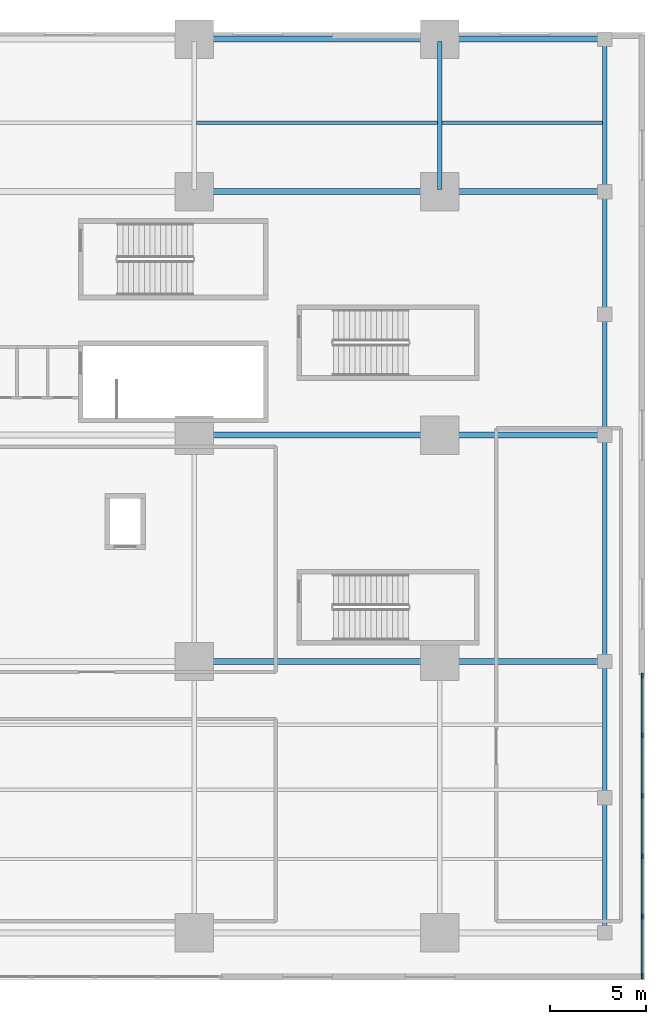
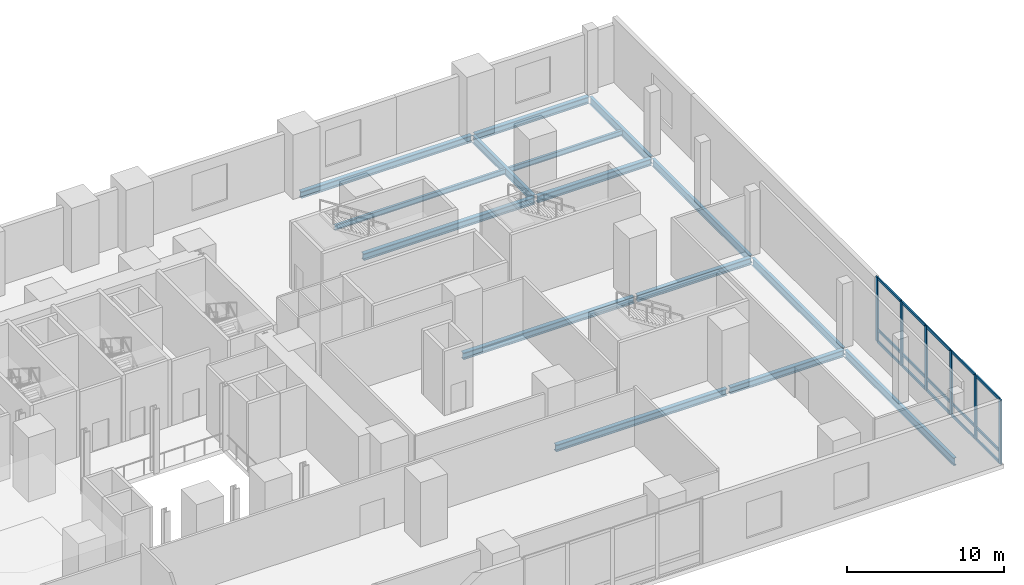
# One storey, part 6 of 15: 21 members, 15 beams, 1 element without a shape of its own.
"""IFC4 building model written with IfcOpenShell, lengths in metres."""

from ifc_helpers import new_model, si_unit, direction, frame, origin, origin_2d, place, context, subcontext, project, spatial, rectangle, i_section, extrude, source, transform, mapped, material, material_profile, profile_set, type_object, element, aggregate, save


model = new_model("IFC4")

# Units and contexts
model_context = context("Model", 3, precision=1e-05, world=origin(), true_north=direction((0.0, 1.0)))
body_context = subcontext(model_context, "Body", "Model", "MODEL_VIEW")
ifc_project = project(units=[si_unit("LENGTHUNIT", "METRE"), si_unit("AREAUNIT", "SQUARE_METRE"), si_unit("VOLUMEUNIT", "CUBIC_METRE"), si_unit("PLANEANGLEUNIT", "RADIAN"), si_unit("MASSUNIT", "GRAM", prefix="KILO")], contexts=[model_context])

# Site, building, storey
site_placement = place(None, origin())
site = spatial("IfcSite", under=ifc_project, at=site_placement, CompositionType="ELEMENT")
building_placement = place(site_placement, origin())
building = spatial("IfcBuilding", under=site, at=building_placement, Name="Vardaveli Station Tower", CompositionType="ELEMENT")
storey_placement = place(building_placement, frame((0.0, 0.0, 6.0)))
storey = spatial("IfcBuildingStorey", under=building, at=storey_placement, Name="L02", CompositionType="ELEMENT", Elevation=6.0)

# Beams
ifc_material_1 = material(Name="Structural steel S355J2", Category="steel")
ifc_material_profile_1 = material_profile(ifc_material_1, i_section(OverallWidth=0.305908203125, OverallDepth=0.52392578125, WebThickness=0.02099609375, FlangeThickness=0.0400390625, FilletRadius=0.027099609375, at=origin_2d()), Name="HEM 500")
ifc_profile_set_1 = profile_set([ifc_material_profile_1], Name="Structural steel S355J2")
beam_type_1 = type_object("IfcBeamType", Name="BM-HEM500", PredefinedType="BEAM", material=ifc_profile_set_1)
shared_shape_1 = source(origin(), body_context, "Body", "SweptSolid", [
    extrude(i_section(OverallWidth=0.305908203125, OverallDepth=0.52392578125, WebThickness=0.02099609375, FlangeThickness=0.0400390625, FilletRadius=0.027099609375, at=origin_2d()), origin(), (0.0, 0.0, 1.0), 12.559814453125),
])
for number, where, z_axis, x_axis, name in (
    (1, (60.1201171875, 17.10009765625, -0.58203125), (1.0, 0.0, 0.0), (0.0, 1.0, 0.0), "PBM-L02-EW1-6"),
    (2, (60.1201171875, 28.89990234375, -0.58203125), (1.0, 0.0, 0.0), (0.0, 1.0, 0.0), "PBM-L02-EWE2-1"),
    (3, (60.1201171875, 41.60009765625, -0.58203125), (1.0, 0.0, 0.0), (0.0, 1.0, 0.0), "PBM-L02-EW3-7"),
    (4, (60.1201171875, 49.550048828125, -0.58203125), (1.0, 0.0, 0.0), (0.0, 1.0, 0.0), "PBM-L02-EW4-6"),
):
    element("IfcBeam", number, at=place(storey_placement, frame(where, z_axis=z_axis, x_axis=x_axis)), inside=storey, type_object=beam_type_1, Name=name, PredefinedType="BEAM", context=body_context, shape_type="MappedRepresentation", body=[
        mapped(shared_shape_1, transform((0.0, 0.0, 0.0), scale=1.0)),
    ])
ifc_material_profile_2 = material_profile(ifc_material_1, i_section(OverallWidth=0.219970703125, OverallDepth=0.60009765625, WebThickness=0.011962890625, FlangeThickness=0.01904296875, FilletRadius=0.02392578125, at=origin_2d()), Name="IPE 600")
ifc_profile_set_2 = profile_set([ifc_material_profile_2], Name="Structural steel S355J2")
beam_type_2 = type_object("IfcBeamType", Name="BM-IPE600", PredefinedType="BEAM", material=ifc_profile_set_2)
shared_shape_2 = source(origin(), body_context, "Body", "SweptSolid", [
    extrude(i_section(OverallWidth=0.219970703125, OverallDepth=0.60009765625, WebThickness=0.011962890625, FlangeThickness=0.01904296875, FilletRadius=0.02392578125, at=origin_2d()), origin(), (0.0, 0.0, 1.0), 13.909912109375),
])
beam_1_placement = place(storey_placement, frame((81.39990234375, 3.070068359375, -0.6201171875), z_axis=(0.0, 1.0, 0.0), x_axis=(-1.0, 0.0, 0.0)))
element("IfcBeam", 5, at=beam_1_placement, inside=storey, type_object=beam_type_2, Name="PBM-L02-NS5-0", PredefinedType="BEAM", context=body_context, shape_type="MappedRepresentation", body=[
    mapped(shared_shape_2, transform((0.0, 0.0, 0.0), scale=1.0)),
])
shared_shape_3 = source(origin(), body_context, "Body", "SweptSolid", [
    extrude(i_section(OverallWidth=0.219970703125, OverallDepth=0.60009765625, WebThickness=0.011962890625, FlangeThickness=0.01904296875, FilletRadius=0.02392578125, at=origin_2d()), origin(), (0.0, 0.0, 1.0), 11.56005859375),
])
beam_2_placement = place(storey_placement, frame((81.39990234375, 17.219970703125, -0.6201171875), z_axis=(0.0, 1.0, 0.0), x_axis=(-1.0, 0.0, 0.0)))
element("IfcBeam", 6, at=beam_2_placement, inside=storey, type_object=beam_type_2, Name="PBM-L02-NS5-1", PredefinedType="BEAM", context=body_context, shape_type="MappedRepresentation", body=[
    mapped(shared_shape_3, transform((0.0, 0.0, 0.0), scale=1.0)),
])
shared_shape_4 = source(origin(), body_context, "Body", "SweptSolid", [
    extrude(i_section(OverallWidth=0.219970703125, OverallDepth=0.60009765625, WebThickness=0.011962890625, FlangeThickness=0.01904296875, FilletRadius=0.02392578125, at=origin_2d()), origin(), (0.0, 0.0, 1.0), 12.4599609375),
])
beam_3_placement = place(storey_placement, frame((81.39990234375, 29.02001953125, -0.6201171875), z_axis=(0.0, 1.0, 0.0), x_axis=(-1.0, 0.0, 0.0)))
element("IfcBeam", 7, at=beam_3_placement, inside=storey, type_object=beam_type_2, Name="PBM-L02-NS5-2", PredefinedType="BEAM", context=body_context, shape_type="MappedRepresentation", body=[
    mapped(shared_shape_4, transform((0.0, 0.0, 0.0), scale=1.0)),
])
shared_shape_5 = source(origin(), body_context, "Body", "SweptSolid", [
    extrude(i_section(OverallWidth=0.219970703125, OverallDepth=0.60009765625, WebThickness=0.011962890625, FlangeThickness=0.01904296875, FilletRadius=0.02392578125, at=origin_2d()), origin(), (0.0, 0.0, 1.0), 7.7099609375),
])
for number, where, z_axis, x_axis, name in (
    (8, (72.800048828125, 41.719970703125, -0.6201171875), (0.0, 1.0, 0.0), (-1.0, 0.0, 0.0), "PBM-L02-NS4-3"),
    (9, (81.39990234375, 41.719970703125, -0.6201171875), (0.0, 1.0, 0.0), (-1.0, 0.0, 0.0), "PBM-L02-NS5-3"),
):
    element("IfcBeam", number, at=place(storey_placement, frame(where, z_axis=z_axis, x_axis=x_axis)), inside=storey, type_object=beam_type_2, Name=name, PredefinedType="BEAM", context=body_context, shape_type="MappedRepresentation", body=[
        mapped(shared_shape_5, transform((0.0, 0.0, 0.0), scale=1.0)),
    ])
ifc_material_profile_3 = material_profile(ifc_material_1, i_section(OverallWidth=0.179931640625, OverallDepth=0.39990234375, WebThickness=0.008544921875, FlangeThickness=0.013427734375, FilletRadius=0.02099609375, at=origin_2d()), Name="IPE 400")
ifc_profile_set_3 = profile_set([ifc_material_profile_3], Name="Structural steel S355J2")
beam_type_3 = type_object("IfcBeamType", Name="BM-IPE400", PredefinedType="JOIST", material=ifc_profile_set_3)
shared_shape_6 = source(origin(), body_context, "Body", "SweptSolid", [
    extrude(i_section(OverallWidth=0.179931640625, OverallDepth=0.39990234375, WebThickness=0.008544921875, FlangeThickness=0.013427734375, FilletRadius=0.02099609375, at=origin_2d()), origin(), (0.0, 0.0, 1.0), 12.575927734375),
])
beam_4_placement = place(storey_placement, frame((60.112060546875, 45.199951171875, -0.52001953125), z_axis=(1.0, 0.0, 0.0), x_axis=(0.0, 1.0, 0.0)))
element("IfcBeam", 10, at=beam_4_placement, inside=storey, type_object=beam_type_3, Name="PJ-L02-4-3", PredefinedType="JOIST", context=body_context, shape_type="MappedRepresentation", body=[
    mapped(shared_shape_6, transform((0.0, 0.0, 0.0), scale=1.0)),
])
shared_shape_7 = source(origin(), body_context, "Body", "SweptSolid", [
    extrude(i_section(OverallWidth=0.305908203125, OverallDepth=0.52392578125, WebThickness=0.02099609375, FlangeThickness=0.0400390625, FilletRadius=0.027099609375, at=origin_2d()), origin(), (0.0, 0.0, 1.0), 8.360107421875),
])
for number, where, z_axis, x_axis, name in (
    (11, (72.919921875, 17.10009765625, -0.58203125), (1.0, 0.0, 0.0), (0.0, 1.0, 0.0), "PBM-L02-EW1-7"),
    (12, (72.919921875, 28.89990234375, -0.58203125), (1.0, 0.0, 0.0), (0.0, 1.0, 0.0), "PBM-L02-EWE2-2"),
    (13, (72.919921875, 41.60009765625, -0.58203125), (1.0, 0.0, 0.0), (0.0, 1.0, 0.0), "PBM-L02-EW3-8"),
    (14, (72.919921875, 49.550048828125, -0.58203125), (1.0, 0.0, 0.0), (0.0, 1.0, 0.0), "PBM-L02-EW4-7"),
):
    element("IfcBeam", number, at=place(storey_placement, frame(where, z_axis=z_axis, x_axis=x_axis)), inside=storey, type_object=beam_type_1, Name=name, PredefinedType="BEAM", context=body_context, shape_type="MappedRepresentation", body=[
        mapped(shared_shape_7, transform((0.0, 0.0, 0.0), scale=1.0)),
    ])
shared_shape_8 = source(origin(), body_context, "Body", "SweptSolid", [
    extrude(i_section(OverallWidth=0.179931640625, OverallDepth=0.39990234375, WebThickness=0.008544921875, FlangeThickness=0.013427734375, FilletRadius=0.02099609375, at=origin_2d()), origin(), (0.0, 0.0, 1.0), 8.3759765625),
])
beam_5_placement = place(storey_placement, frame((72.912109375, 45.199951171875, -0.52001953125), z_axis=(1.0, 0.0, 0.0), x_axis=(0.0, 1.0, 0.0)))
element("IfcBeam", 15, at=beam_5_placement, inside=storey, type_object=beam_type_3, Name="PJ-L02-4-4", PredefinedType="JOIST", context=body_context, shape_type="MappedRepresentation", body=[
    mapped(shared_shape_8, transform((0.0, 0.0, 0.0), scale=1.0)),
])

# Curtain wall, members
ifc_material_2 = material(Name="Travertine stone and solar-control glass", Category="masonry")
curtain_wall_type = type_object("IfcCurtainWallType", Name="CW-SYS-1", PredefinedType="NOTDEFINED", material=ifc_material_2)
curtain_wall_placement = place(storey_placement, origin())
curtain_wall = element("IfcCurtainWall", 16, at=curtain_wall_placement, inside=storey, type_object=curtain_wall_type, Name="CW-L02-E1", PredefinedType="NOTDEFINED")
ifc_material_3 = material(Name="Anodised aluminium alloy 6063-T6", Category="aluminium")
ifc_material_profile_4 = material_profile(ifc_material_3, rectangle(XDim=0.094970703125, YDim=0.2099609375, at=origin_2d()), Name="CWT 95x210")
ifc_profile_set_4 = profile_set([ifc_material_profile_4], Name="Anodised aluminium alloy 6063-T6")
member_type_1 = type_object("IfcMemberType", Name="CW-SYS-1-TRAN", PredefinedType="NOTDEFINED", material=ifc_profile_set_4)
shared_shape_9 = source(origin(), body_context, "Body", "SweptSolid", [
    extrude(rectangle(XDim=0.094970703125, YDim=0.2099609375, at=origin_2d()), origin(), (0.0, 0.0, 1.0), 3.00732421875),
])
member_1_placement = place(storey_placement, frame((83.35009765625, 0.7451171875, 0.047607421875), z_axis=(0.0, 1.0, 0.0), x_axis=(-1.0, 0.0, 0.0)))
member_1 = element("IfcMember", 17, at=member_1_placement, type_object=member_type_1, Name="CW-1 transom 1.1", ObjectType="TRANSOM", PredefinedType="USERDEFINED", context=body_context, shape_type="MappedRepresentation", body=[
    mapped(shared_shape_9, transform((0.0, 0.0, 0.0), scale=1.0)),
])
member_2_placement = place(storey_placement, frame((83.35009765625, 0.7451171875, 0.949951171875), z_axis=(0.0, 1.0, 0.0), x_axis=(-1.0, 0.0, 0.0)))
member_2 = element("IfcMember", 18, at=member_2_placement, type_object=member_type_1, Name="CW-1 transom 1.2", ObjectType="TRANSOM", PredefinedType="USERDEFINED", context=body_context, shape_type="MappedRepresentation", body=[
    mapped(shared_shape_9, transform((0.0, 0.0, 0.0), scale=1.0)),
])
member_3_placement = place(storey_placement, frame((83.35009765625, 0.7451171875, 4.952392578125), z_axis=(0.0, 1.0, 0.0), x_axis=(-1.0, 0.0, 0.0)))
member_3 = element("IfcMember", 19, at=member_3_placement, type_object=member_type_1, Name="CW-1 transom 1.3", ObjectType="TRANSOM", PredefinedType="USERDEFINED", context=body_context, shape_type="MappedRepresentation", body=[
    mapped(shared_shape_9, transform((0.0, 0.0, 0.0), scale=1.0)),
])
member_4_placement = place(storey_placement, frame((83.35009765625, 13.297607421875, 0.047607421875), z_axis=(0.0, 1.0, 0.0), x_axis=(-1.0, 0.0, 0.0)))
member_4 = element("IfcMember", 20, at=member_4_placement, type_object=member_type_1, Name="CW-1 transom 5.1", ObjectType="TRANSOM", PredefinedType="USERDEFINED", context=body_context, shape_type="MappedRepresentation", body=[
    mapped(shared_shape_9, transform((0.0, 0.0, 0.0), scale=1.0)),
])
member_5_placement = place(storey_placement, frame((83.35009765625, 13.297607421875, 0.949951171875), z_axis=(0.0, 1.0, 0.0), x_axis=(-1.0, 0.0, 0.0)))
member_5 = element("IfcMember", 21, at=member_5_placement, type_object=member_type_1, Name="CW-1 transom 5.2", ObjectType="TRANSOM", PredefinedType="USERDEFINED", context=body_context, shape_type="MappedRepresentation", body=[
    mapped(shared_shape_9, transform((0.0, 0.0, 0.0), scale=1.0)),
])
member_6_placement = place(storey_placement, frame((83.35009765625, 13.297607421875, 4.952392578125), z_axis=(0.0, 1.0, 0.0), x_axis=(-1.0, 0.0, 0.0)))
member_6 = element("IfcMember", 22, at=member_6_placement, type_object=member_type_1, Name="CW-1 transom 5.3", ObjectType="TRANSOM", PredefinedType="USERDEFINED", context=body_context, shape_type="MappedRepresentation", body=[
    mapped(shared_shape_9, transform((0.0, 0.0, 0.0), scale=1.0)),
])
shared_shape_10 = source(origin(), body_context, "Body", "SweptSolid", [
    extrude(rectangle(XDim=0.094970703125, YDim=0.2099609375, at=origin_2d()), origin(), (0.0, 0.0, 1.0), 3.05517578125),
])
member_7_placement = place(storey_placement, frame((83.35009765625, 3.847412109375, 0.047607421875), z_axis=(0.0, 1.0, 0.0), x_axis=(-1.0, 0.0, 0.0)))
member_7 = element("IfcMember", 23, at=member_7_placement, type_object=member_type_1, Name="CW-1 transom 2.1", ObjectType="TRANSOM", PredefinedType="USERDEFINED", context=body_context, shape_type="MappedRepresentation", body=[
    mapped(shared_shape_10, transform((0.0, 0.0, 0.0), scale=1.0)),
])
member_8_placement = place(storey_placement, frame((83.35009765625, 3.847412109375, 0.949951171875), z_axis=(0.0, 1.0, 0.0), x_axis=(-1.0, 0.0, 0.0)))
member_8 = element("IfcMember", 24, at=member_8_placement, type_object=member_type_1, Name="CW-1 transom 2.2", ObjectType="TRANSOM", PredefinedType="USERDEFINED", context=body_context, shape_type="MappedRepresentation", body=[
    mapped(shared_shape_10, transform((0.0, 0.0, 0.0), scale=1.0)),
])
member_9_placement = place(storey_placement, frame((83.35009765625, 3.847412109375, 4.952392578125), z_axis=(0.0, 1.0, 0.0), x_axis=(-1.0, 0.0, 0.0)))
member_9 = element("IfcMember", 25, at=member_9_placement, type_object=member_type_1, Name="CW-1 transom 2.3", ObjectType="TRANSOM", PredefinedType="USERDEFINED", context=body_context, shape_type="MappedRepresentation", body=[
    mapped(shared_shape_10, transform((0.0, 0.0, 0.0), scale=1.0)),
])
shared_shape_11 = source(origin(), body_context, "Body", "SweptSolid", [
    extrude(rectangle(XDim=0.094970703125, YDim=0.2099609375, at=origin_2d()), origin(), (0.0, 0.0, 1.0), 3.054931640625),
])
member_10_placement = place(storey_placement, frame((83.35009765625, 6.99755859375, 0.047607421875), z_axis=(0.0, 1.0, 0.0), x_axis=(-1.0, 0.0, 0.0)))
member_10 = element("IfcMember", 26, at=member_10_placement, type_object=member_type_1, Name="CW-1 transom 3.1", ObjectType="TRANSOM", PredefinedType="USERDEFINED", context=body_context, shape_type="MappedRepresentation", body=[
    mapped(shared_shape_11, transform((0.0, 0.0, 0.0), scale=1.0)),
])
member_11_placement = place(storey_placement, frame((83.35009765625, 6.99755859375, 0.949951171875), z_axis=(0.0, 1.0, 0.0), x_axis=(-1.0, 0.0, 0.0)))
member_11 = element("IfcMember", 27, at=member_11_placement, type_object=member_type_1, Name="CW-1 transom 3.2", ObjectType="TRANSOM", PredefinedType="USERDEFINED", context=body_context, shape_type="MappedRepresentation", body=[
    mapped(shared_shape_11, transform((0.0, 0.0, 0.0), scale=1.0)),
])
member_12_placement = place(storey_placement, frame((83.35009765625, 6.99755859375, 4.952392578125), z_axis=(0.0, 1.0, 0.0), x_axis=(-1.0, 0.0, 0.0)))
member_12 = element("IfcMember", 28, at=member_12_placement, type_object=member_type_1, Name="CW-1 transom 3.3", ObjectType="TRANSOM", PredefinedType="USERDEFINED", context=body_context, shape_type="MappedRepresentation", body=[
    mapped(shared_shape_11, transform((0.0, 0.0, 0.0), scale=1.0)),
])
member_13_placement = place(storey_placement, frame((83.35009765625, 10.1474609375, 0.047607421875), z_axis=(0.0, 1.0, 0.0), x_axis=(-1.0, 0.0, 0.0)))
member_13 = element("IfcMember", 29, at=member_13_placement, type_object=member_type_1, Name="CW-1 transom 4.1", ObjectType="TRANSOM", PredefinedType="USERDEFINED", context=body_context, shape_type="MappedRepresentation", body=[
    mapped(shared_shape_11, transform((0.0, 0.0, 0.0), scale=1.0)),
])
member_14_placement = place(storey_placement, frame((83.35009765625, 10.1474609375, 0.949951171875), z_axis=(0.0, 1.0, 0.0), x_axis=(-1.0, 0.0, 0.0)))
member_14 = element("IfcMember", 30, at=member_14_placement, type_object=member_type_1, Name="CW-1 transom 4.2", ObjectType="TRANSOM", PredefinedType="USERDEFINED", context=body_context, shape_type="MappedRepresentation", body=[
    mapped(shared_shape_11, transform((0.0, 0.0, 0.0), scale=1.0)),
])
member_15_placement = place(storey_placement, frame((83.35009765625, 10.1474609375, 4.952392578125), z_axis=(0.0, 1.0, 0.0), x_axis=(-1.0, 0.0, 0.0)))
member_15 = element("IfcMember", 31, at=member_15_placement, type_object=member_type_1, Name="CW-1 transom 4.3", ObjectType="TRANSOM", PredefinedType="USERDEFINED", context=body_context, shape_type="MappedRepresentation", body=[
    mapped(shared_shape_11, transform((0.0, 0.0, 0.0), scale=1.0)),
])
ifc_material_profile_5 = material_profile(ifc_material_3, rectangle(XDim=0.094970703125, YDim=0.27001953125, at=origin_2d()), Name="CWM 95x270")
ifc_profile_set_5 = profile_set([ifc_material_profile_5], Name="Anodised aluminium alloy 6063-T6")
member_type_2 = type_object("IfcMemberType", Name="CW-SYS-1-MULL", PredefinedType="MULLION", material=ifc_profile_set_5)
shared_shape_12 = source(origin(), body_context, "Body", "SweptSolid", [
    extrude(rectangle(XDim=0.094970703125, YDim=0.27001953125, at=origin_2d()), origin(), (0.0, 0.0, 1.0), 5.0),
])
member_16_placement = place(storey_placement, frame((83.35009765625, 0.697509765625, 0.0), z_axis=(0.0, 0.0, 1.0), x_axis=(-1.0, 0.0, 0.0)))
member_16 = element("IfcMember", 32, at=member_16_placement, type_object=member_type_2, Name="CW-1 mullion 1", PredefinedType="MULLION", context=body_context, shape_type="MappedRepresentation", body=[
    mapped(shared_shape_12, transform((0.0, 0.0, 0.0), scale=1.0)),
])
member_17_placement = place(storey_placement, frame((83.35009765625, 3.800048828125, 0.0), z_axis=(0.0, 0.0, 1.0), x_axis=(-1.0, 0.0, 0.0)))
member_17 = element("IfcMember", 33, at=member_17_placement, type_object=member_type_2, Name="CW-1 mullion 2", PredefinedType="MULLION", context=body_context, shape_type="MappedRepresentation", body=[
    mapped(shared_shape_12, transform((0.0, 0.0, 0.0), scale=1.0)),
])
member_18_placement = place(storey_placement, frame((83.35009765625, 6.949951171875, 0.0), z_axis=(0.0, 0.0, 1.0), x_axis=(-1.0, 0.0, 0.0)))
member_18 = element("IfcMember", 34, at=member_18_placement, type_object=member_type_2, Name="CW-1 mullion 3", PredefinedType="MULLION", context=body_context, shape_type="MappedRepresentation", body=[
    mapped(shared_shape_12, transform((0.0, 0.0, 0.0), scale=1.0)),
])
member_19_placement = place(storey_placement, frame((83.35009765625, 10.10009765625, 0.0), z_axis=(0.0, 0.0, 1.0), x_axis=(-1.0, 0.0, 0.0)))
member_19 = element("IfcMember", 35, at=member_19_placement, type_object=member_type_2, Name="CW-1 mullion 4", PredefinedType="MULLION", context=body_context, shape_type="MappedRepresentation", body=[
    mapped(shared_shape_12, transform((0.0, 0.0, 0.0), scale=1.0)),
])
member_20_placement = place(storey_placement, frame((83.35009765625, 13.25, 0.0), z_axis=(0.0, 0.0, 1.0), x_axis=(-1.0, 0.0, 0.0)))
member_20 = element("IfcMember", 36, at=member_20_placement, type_object=member_type_2, Name="CW-1 mullion 5", PredefinedType="MULLION", context=body_context, shape_type="MappedRepresentation", body=[
    mapped(shared_shape_12, transform((0.0, 0.0, 0.0), scale=1.0)),
])
member_21_placement = place(storey_placement, frame((83.35009765625, 16.3525390625, 0.0), z_axis=(0.0, 0.0, 1.0), x_axis=(-1.0, 0.0, 0.0)))
member_21 = element("IfcMember", 37, at=member_21_placement, type_object=member_type_2, Name="CW-1 mullion 6", PredefinedType="MULLION", context=body_context, shape_type="MappedRepresentation", body=[
    mapped(shared_shape_12, transform((0.0, 0.0, 0.0), scale=1.0)),
])
aggregate(curtain_wall, [member_16, member_17, member_18, member_19, member_20, member_21, member_1, member_2, member_3, member_7, member_8, member_9, member_10, member_11, member_12, member_13, member_14, member_15, member_4, member_5, member_6])

save(model, "model.ifc")
